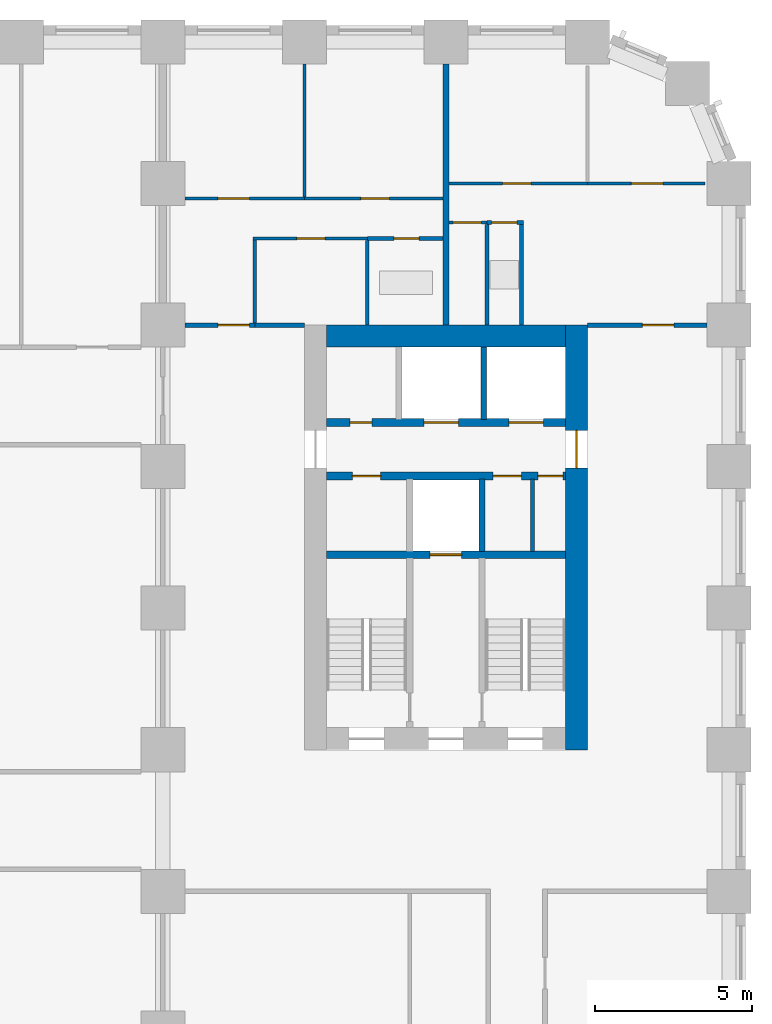
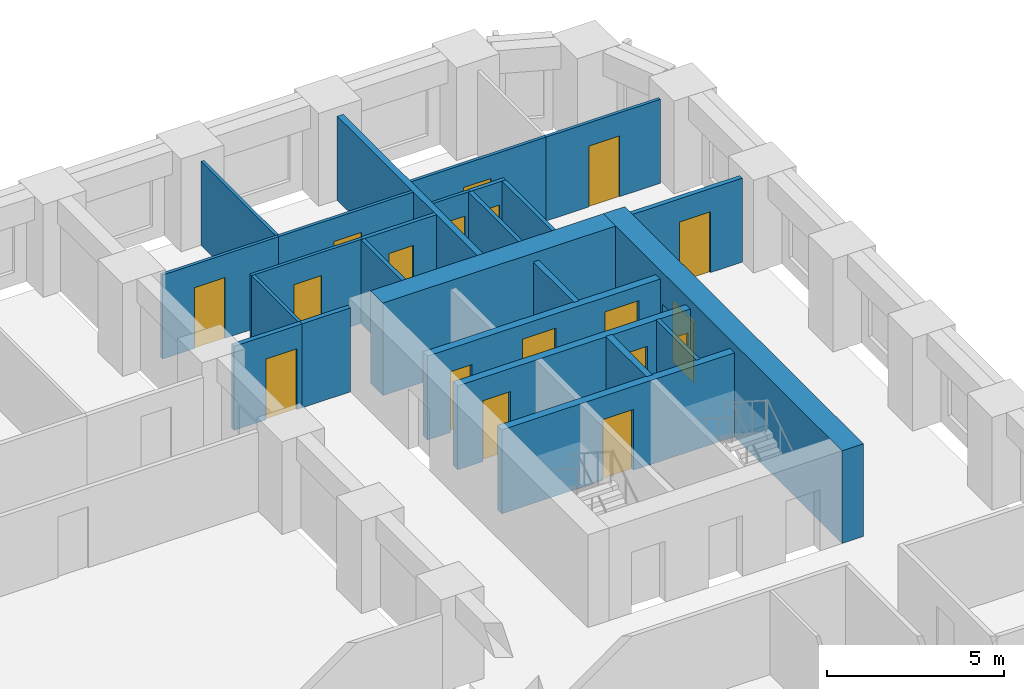
# One storey, part 8 of 12: 25 walls, 18 doors, 18 openings.
"""IFC4 building model written with IfcOpenShell, lengths in metres."""

import ifcopenshell
import ifcopenshell.guid

model = None  # the IFC model being written
_history = None  # IfcOwnerHistory: only IFC2X3 demands one
_inside = {}  # id of a spatial element -> (the spatial element, [elements in it])
_under = {}  # id of a project, library or spatial element -> (it, [spatial elements below it])
_declared = {}  # id of a project -> (the project, [libraries it declares])
_typed = {}  # id of a type object -> (the type object, [elements of that type])
_made_of = {}  # id of a material, layer set ... -> (it, [elements and type objects made of it])


def new_model(schema):
    """Start an empty IFC model of exactly this schema.

    Asked for "IFC4X3", IfcOpenShell would pick the latest addendum, in which some entities
    have other attributes; the version numbers below select the first issue.
    IFC2X3 requires an IfcOwnerHistory on every rooted entity: one is made here for all.
    """
    global model, _history
    if schema == "IFC4X3":
        model = ifcopenshell.file(schema_version=(4, 3, 0, 0))
    else:
        model = ifcopenshell.file(schema=schema)
    _inside.clear()
    _under.clear()
    _declared.clear()
    _typed.clear()
    _made_of.clear()
    _history = None
    if model.schema == "IFC2X3":
        org = make("IfcOrganization", Name="unknown")
        user = make(
            "IfcPersonAndOrganization",
            ThePerson=make("IfcPerson", FamilyName="unknown"),
            TheOrganization=org,
        )
        app = make(
            "IfcApplication",
            ApplicationDeveloper=org,
            Version="unknown",
            ApplicationFullName="unknown",
            ApplicationIdentifier="unknown",
        )
        _history = make(
            "IfcOwnerHistory",
            OwningUser=user,
            OwningApplication=app,
            ChangeAction="ADDED",
            CreationDate=0,
        )
    return model


def make(cls, **values):
    """One entity of the class cls with the attributes given. An attribute that is None is left unset."""
    return model.create_entity(
        cls, **{name: value for name, value in values.items() if value is not None}
    )


def rooted(cls, **values):
    """An entity with a GlobalId (a new one), such as an element, a storey or a relation."""
    return make(cls, GlobalId=ifcopenshell.guid.new(), OwnerHistory=_history, **values)


def si_unit(unit_type, name, prefix=None):
    """IfcSIUnit, for example si_unit("LENGTHUNIT", "METRE", prefix="MILLI")."""
    return make("IfcSIUnit", UnitType=unit_type, Prefix=prefix, Name=name)


def assignment(units):
    """IfcUnitAssignment: the units of a project."""
    return None if units is None else make("IfcUnitAssignment", Units=units)


def point(xyz):
    """IfcCartesianPoint."""
    return None if xyz is None else make("IfcCartesianPoint", Coordinates=xyz)


def direction(xyz):
    """IfcDirection."""
    return None if xyz is None else make("IfcDirection", DirectionRatios=xyz)


def frame(location, z_axis=None, x_axis=None):
    """IfcAxis2Placement3D, a coordinate frame: its origin and axes. An axis left out is left unset."""
    return make(
        "IfcAxis2Placement3D",
        Location=point(location),
        Axis=direction(z_axis),
        RefDirection=direction(x_axis),
    )


def frame_2d(location, x_axis=None):
    """IfcAxis2Placement2D, a coordinate frame in the plane: its origin and x axis."""
    return make(
        "IfcAxis2Placement2D", Location=point(location), RefDirection=direction(x_axis)
    )


def origin():
    """The frame at (0, 0, 0) with its axes left unset."""
    return frame((0.0, 0.0, 0.0))


def place(relative_to, where):
    """IfcLocalPlacement: puts the frame where relative to a parent placement (None: the world)."""
    return make(
        "IfcLocalPlacement", PlacementRelTo=relative_to, RelativePlacement=where
    )


def context(
    kind, dimensions, precision=None, world=None, true_north=None, identifier=None
):
    """IfcGeometricRepresentationContext, for example the 3D "Model" context."""
    return make(
        "IfcGeometricRepresentationContext",
        ContextIdentifier=identifier,
        ContextType=kind,
        CoordinateSpaceDimension=dimensions,
        Precision=precision,
        WorldCoordinateSystem=world,
        TrueNorth=true_north,
    )


def subcontext(parent, identifier, kind, view, scale=None):
    """IfcGeometricRepresentationSubContext, for example "Body" below "Model"."""
    return make(
        "IfcGeometricRepresentationSubContext",
        ContextIdentifier=identifier,
        ContextType=kind,
        ParentContext=parent,
        TargetScale=scale,
        TargetView=view,
    )


def project(units=None, contexts=None):
    """IfcProject with its units and contexts."""
    return rooted(
        "IfcProject",
        Name="project",
        RepresentationContexts=contexts,
        UnitsInContext=assignment(units),
    )


def spatial(cls, under=None, at=None, **own):
    """A site, building, storey or space (cls), placed at a placement, below another one or the project."""
    s = rooted(cls, ObjectPlacement=at, **own)
    if under is not None:
        _under.setdefault(under.id(), (under, []))[1].append(s)
    return s


def profile(cls, at=None, kind="AREA", **sizes):
    """A parametric profile (cls). Its sizes go by their IFC names, for example OverallWidth=200.0."""
    return make(cls, ProfileType=kind, Position=at, **sizes)


def rectangle(**sizes):
    """IfcRectangleProfileDef."""
    return profile("IfcRectangleProfileDef", **sizes)


def extrude(swept, where, along, depth):
    """IfcExtrudedAreaSolid: the profile swept, set in the frame where, extruded along a direction by depth."""
    return make(
        "IfcExtrudedAreaSolid",
        SweptArea=swept,
        Position=where,
        ExtrudedDirection=direction(along),
        Depth=depth,
    )


def shape(context_of_items, identifier, shape_type, items):
    """IfcShapeRepresentation: the items that make up one representation, for example the "Body"."""
    return make(
        "IfcShapeRepresentation",
        ContextOfItems=context_of_items,
        RepresentationIdentifier=identifier,
        RepresentationType=shape_type,
        Items=items,
    )


def material(Name=None, Category=None):
    """IfcMaterial."""
    return make("IfcMaterial", Name=Name, Category=Category)


def layer(
    of_material, thickness, ventilated=None, Name=None, Category=None, Priority=None
):
    """IfcMaterialLayer: one layer of a wall or slab, of a material (None: an air gap)."""
    return make(
        "IfcMaterialLayer",
        Material=of_material,
        LayerThickness=thickness,
        IsVentilated=ventilated,
        Name=Name,
        Category=Category,
        Priority=Priority,
    )


def layer_set(layers, Name=None):
    """IfcMaterialLayerSet."""
    return make("IfcMaterialLayerSet", MaterialLayers=layers, LayerSetName=Name)


def made_of(thing, what):
    """Note that an element or type object is made of a material, layer set ...; save() writes the relation."""
    if what is not None:
        _made_of.setdefault(what.id(), (what, []))[1].append(thing)
    return thing


def type_object(cls, material=None, **own):
    """A type object (cls), such as IfcWallType, which elements share."""
    return made_of(rooted(cls, **own), material)


def element(
    cls,
    number,
    at=None,
    inside=None,
    cuts=None,
    type_object=None,
    material=None,
    context=None,
    identifier="Body",
    shape_type=None,
    held_by="IfcProductDefinitionShape",
    body=None,
    shapes=None,
    **own,
):
    """One element of the class cls, such as IfcWall. Its Tag is "e" and its number.

    at: its placement. inside: the storey or other place that contains it. cuts: it is an
    opening in that element (IfcRelVoidsElement). A single representation is given by context,
    identifier, shape_type and body (its items); several are given by shapes. held_by: the class
    of the entity that holds the representations. save() writes the other relations.
    """
    e = rooted(cls, Tag="e%d" % number, ObjectPlacement=at, **own)
    if body is not None:
        shapes = [shape(context, identifier, shape_type, body)]
    if shapes is not None:
        e.Representation = make(held_by, Representations=shapes)
    if inside is not None:
        _inside.setdefault(inside.id(), (inside, []))[1].append(e)
    if cuts is not None:
        rooted(
            "IfcRelVoidsElement", RelatingBuildingElement=cuts, RelatedOpeningElement=e
        )
    if type_object is not None:
        _typed.setdefault(type_object.id(), (type_object, []))[1].append(e)
    return made_of(e, material)


def fill(opening, filler):
    """IfcRelFillsElement: the door or window that sits in an opening."""
    return rooted(
        "IfcRelFillsElement",
        RelatingOpeningElement=opening,
        RelatedBuildingElement=filler,
    )


def aggregate(whole, parts):
    """IfcRelAggregates: a whole, such as a stair, and the parts it consists of."""
    return rooted("IfcRelAggregates", RelatingObject=whole, RelatedObjects=parts)


def save(model, path):
    """Write the relations noted so far, then the file.

    IfcRelAggregates (storeys below a building ...), IfcRelContainedInSpatialStructure (elements
    in a storey), IfcRelDefinesByType, IfcRelAssociatesMaterial and IfcRelDeclares: one each for
    every whole, place, type object, material and project.
    """
    for whole, parts in _under.values():
        aggregate(whole, parts)
    for where, things in _inside.values():
        rooted(
            "IfcRelContainedInSpatialStructure",
            RelatedElements=things,
            RelatingStructure=where,
        )
    for kind, things in _typed.values():
        rooted("IfcRelDefinesByType", RelatedObjects=things, RelatingType=kind)
    for what, things in _made_of.values():
        rooted("IfcRelAssociatesMaterial", RelatedObjects=things, RelatingMaterial=what)
    for by, libraries in _declared.values():
        rooted("IfcRelDeclares", RelatingContext=by, RelatedDefinitions=libraries)
    model.write(path)


model = new_model("IFC4")

# Units and contexts
model_context = context("Model", 3, precision=1e-05, world=origin(), true_north=direction((0.0, 1.0)))
body_context = subcontext(model_context, "Body", "Model", "MODEL_VIEW")
ifc_project = project(units=[si_unit("LENGTHUNIT", "METRE"), si_unit("AREAUNIT", "SQUARE_METRE"), si_unit("VOLUMEUNIT", "CUBIC_METRE"), si_unit("PLANEANGLEUNIT", "RADIAN"), si_unit("MASSUNIT", "GRAM", prefix="KILO")], contexts=[model_context])

# Site, building, storey
site_placement = place(None, origin())
site = spatial("IfcSite", under=ifc_project, at=site_placement, CompositionType="ELEMENT")
building_placement = place(site_placement, origin())
building = spatial("IfcBuilding", under=site, at=building_placement, Name="Girih Gate Residences", CompositionType="ELEMENT")
storey_placement = place(building_placement, frame((0.0, 0.0, 65.60009765625)))
storey = spatial("IfcBuildingStorey", under=building, at=storey_placement, Name="L17", CompositionType="ELEMENT", Elevation=65.60009765625)

# Wall, opening, door
ifc_material_1 = material(Name="Gypsum board on steel studs", Category="steel")
ifc_layer_1 = layer(ifc_material_1, 0.14990234375)
ifc_layer_set_1 = layer_set([ifc_layer_1], Name="Compartment wall 150 mm")
wall_type_1 = type_object("IfcWallType", Name="Compartment wall 150 mm", PredefinedType="PARTITIONING", material=ifc_layer_set_1)
wall_1_placement = place(storey_placement, frame((45.0, 40.5, 0.0), z_axis=(0.0, 0.0, 1.0), x_axis=(1.0, 0.0, 0.0)))
wall_1 = element("IfcWall", 1, at=wall_1_placement, inside=storey, type_object=wall_type_1, Name="L17 partition", PredefinedType="PARTITIONING", context=body_context, shape_type="SweptSolid", body=[
    extrude(rectangle(XDim=3.800048828125, YDim=0.14990234375, at=frame_2d((1.89990234375, 0.0))), origin(), (0.0, 0.0, 1.0), 2.89990234375),
])
opening_1_placement = place(wall_1_placement, frame((1.75, 0.0, 0.0)))
opening_1 = element("IfcOpeningElement", 2, at=opening_1_placement, cuts=wall_1, Name="Opening A17-032", PredefinedType="OPENING", context=body_context, shape_type="SweptSolid", body=[
    extrude(rectangle(XDim=1.0, YDim=2.10009765625, at=frame_2d((0.5, 1.050048828125))), frame((0.0, 0.0849609375, 0.0), z_axis=(0.0, -1.0, 0.0), x_axis=(1.0, 0.0, 0.0)), (0.0, 0.0, 1.0), 0.169921875),
])
ifc_material_2 = material(Name="Timber, fire-rated core", Category="wood")
door_type_1 = type_object("IfcDoorType", Name="Flat entrance door 1000x2100 FD30S", OperationType="NOTDEFINED", PredefinedType="DOOR", material=ifc_material_2)
door_1_placement = place(opening_1_placement, origin())
door_1 = element("IfcDoor", 3, at=door_1_placement, inside=storey, type_object=door_type_1, Name="Door A17-032", OperationType="SINGLE_SWING_RIGHT", OverallHeight=2.10009765625, OverallWidth=1.0, PredefinedType="DOOR", context=body_context, shape_type="SweptSolid", body=[
    extrude(rectangle(XDim=1.0, YDim=2.10009765625, at=frame_2d((0.5, 1.050048828125))), frame((0.0, 0.02490234375, 0.0), z_axis=(0.0, -1.0, 0.0), x_axis=(1.0, 0.0, 0.0)), (0.0, 0.0, 1.0), 0.050048828125),
])
fill(opening_1, door_1)

wall_2_placement = place(storey_placement, frame((32.199951171875, 40.5, 0.0), z_axis=(0.0, 0.0, 1.0), x_axis=(1.0, 0.0, 0.0)))
wall_2 = element("IfcWall", 4, at=wall_2_placement, inside=storey, type_object=wall_type_1, Name="L17 partition", PredefinedType="PARTITIONING", context=body_context, shape_type="SweptSolid", body=[
    extrude(rectangle(XDim=2.22509765625, YDim=0.14990234375, at=frame_2d((1.112548828125, 0.0))), origin(), (0.0, 0.0, 1.0), 2.89990234375),
])
opening_2_placement = place(wall_2_placement, frame((1.050048828125, 0.0, 0.0)))
opening_2 = element("IfcOpeningElement", 5, at=opening_2_placement, cuts=wall_2, Name="Opening A17-037", PredefinedType="OPENING", context=body_context, shape_type="SweptSolid", body=[
    extrude(rectangle(XDim=1.0, YDim=2.10009765625, at=frame_2d((0.5, 1.050048828125))), frame((0.0, 0.0849609375, 0.0), z_axis=(0.0, -1.0, 0.0), x_axis=(1.0, 0.0, 0.0)), (0.0, 0.0, 1.0), 0.169921875),
])
door_2_placement = place(opening_2_placement, origin())
door_2 = element("IfcDoor", 6, at=door_2_placement, inside=storey, type_object=door_type_1, Name="Door A17-037", OperationType="SINGLE_SWING_RIGHT", OverallHeight=2.10009765625, OverallWidth=1.0, PredefinedType="DOOR", context=body_context, shape_type="SweptSolid", body=[
    extrude(rectangle(XDim=1.0, YDim=2.10009765625, at=frame_2d((0.5, 1.050048828125))), frame((0.0, 0.02490234375, 0.0), z_axis=(0.0, -1.0, 0.0), x_axis=(1.0, 0.0, 0.0)), (0.0, 0.0, 1.0), 0.050048828125),
])
fill(opening_2, door_2)

# Walls
wall_3_placement = place(storey_placement, frame((34.425048828125, 40.5, 0.0), z_axis=(0.0, 0.0, 1.0), x_axis=(1.0, 0.0, 0.0)))
element("IfcWall", 7, at=wall_3_placement, inside=storey, type_object=wall_type_1, Name="L17 partition", PredefinedType="PARTITIONING", context=body_context, shape_type="SweptSolid", body=[
    extrude(rectangle(XDim=1.574951171875, YDim=0.14990234375, at=frame_2d((0.78759765625, 0.0))), origin(), (0.0, 0.0, 1.0), 2.89990234375),
])
ifc_material_3 = material(Name="Concrete C60/75", Category="concrete")
ifc_layer_2 = layer(ifc_material_3, 0.699951171875)
ifc_layer_set_2 = layer_set([ifc_layer_2], Name="Core wall RC 700 Concrete C60/75")
wall_type_2 = type_object("IfcWallType", Name="Core wall RC 700 Concrete C60/75", PredefinedType="SOLIDWALL", material=ifc_layer_set_2)
wall_4_placement = place(storey_placement, frame((36.699951171875, 40.14990234375, 0.0), z_axis=(0.0, 0.0, 1.0), x_axis=(1.0, 0.0, 0.0)))
element("IfcWall", 8, at=wall_4_placement, inside=storey, type_object=wall_type_2, Name="Core wall E-N L17", PredefinedType="SOLIDWALL", context=body_context, shape_type="SweptSolid", body=[
    extrude(rectangle(XDim=7.60009765625, YDim=0.699951171875, at=frame_2d((3.800048828125, 0.0))), origin(), (0.0, 0.0, 1.0), 3.199951171875),
])

# Wall, opening, door
wall_5_placement = place(storey_placement, frame((44.64990234375, 27.0, 0.0), z_axis=(0.0, 0.0, 1.0), x_axis=(0.0, 1.0, 0.0)))
wall_5 = element("IfcWall", 9, at=wall_5_placement, inside=storey, type_object=wall_type_2, Name="Core wall E-E L17", PredefinedType="SOLIDWALL", context=body_context, shape_type="SweptSolid", body=[
    extrude(rectangle(XDim=13.5, YDim=0.699951171875, at=frame_2d((6.75, 0.0))), origin(), (0.0, 0.0, 1.0), 3.199951171875),
])
opening_3_placement = place(wall_5_placement, frame((8.949951171875, 0.0, 0.0)))
opening_3 = element("IfcOpeningElement", 10, at=opening_3_placement, cuts=wall_5, Name="Opening D-L17-E-014", PredefinedType="OPENING", context=body_context, shape_type="SweptSolid", body=[
    extrude(rectangle(XDim=1.199951171875, YDim=2.10009765625, at=frame_2d((0.60009765625, 1.050048828125))), frame((0.0, 0.35986328125, 0.0), z_axis=(0.0, -1.0, 0.0), x_axis=(1.0, 0.0, 0.0)), (0.0, 0.0, 1.0), 0.719970703125),
])
ifc_material_4 = material(Name="Painted steel, fire-resisting", Category="steel")
door_type_2 = type_object("IfcDoorType", Name="Fire door 1200x2100", OperationType="SINGLE_SWING_LEFT", PredefinedType="DOOR", material=ifc_material_4)
door_3_placement = place(opening_3_placement, origin())
door_3 = element("IfcDoor", 11, at=door_3_placement, inside=storey, type_object=door_type_2, Name="L17 E core door ll-e", OperationType="SINGLE_SWING_LEFT", OverallHeight=2.10009765625, OverallWidth=1.199951171875, PredefinedType="DOOR", context=body_context, shape_type="SweptSolid", body=[
    extrude(rectangle(XDim=1.199951171875, YDim=2.10009765625, at=frame_2d((0.60009765625, 1.050048828125))), frame((0.0, 0.02490234375, 0.0), z_axis=(0.0, -1.0, 0.0), x_axis=(1.0, 0.0, 0.0)), (0.0, 0.0, 1.0), 0.050048828125),
])
fill(opening_3, door_3)

ifc_material_5 = material(Name="Concrete C40/50", Category="concrete")
ifc_layer_3 = layer(ifc_material_5, 0.25)
ifc_layer_set_3 = layer_set([ifc_layer_3], Name="Lift shaft wall 250")
wall_type_3 = type_object("IfcWallType", Name="Lift shaft wall 250", PredefinedType="SOLIDWALL", material=ifc_layer_set_3)
wall_6_placement = place(storey_placement, frame((36.699951171875, 33.199951171875, 0.0), z_axis=(0.0, 0.0, 1.0), x_axis=(1.0, 0.0, 0.0)))
wall_6 = element("IfcWall", 12, at=wall_6_placement, inside=storey, type_object=wall_type_3, Name="L17 E core wall H1", PredefinedType="SOLIDWALL", context=body_context, shape_type="SweptSolid", body=[
    extrude(rectangle(XDim=7.60009765625, YDim=0.25, at=frame_2d((3.800048828125, 0.0))), origin(), (0.0, 0.0, 1.0), 2.89990234375),
])
opening_4_placement = place(wall_6_placement, frame((3.300048828125, 0.0, 0.0)))
opening_4 = element("IfcOpeningElement", 13, at=opening_4_placement, cuts=wall_6, Name="Opening D-L17-E-005", PredefinedType="OPENING", context=body_context, shape_type="SweptSolid", body=[
    extrude(rectangle(XDim=1.0, YDim=2.10009765625, at=frame_2d((0.5, 1.050048828125))), frame((0.0, 0.135009765625, 0.0), z_axis=(0.0, -1.0, 0.0), x_axis=(1.0, 0.0, 0.0)), (0.0, 0.0, 1.0), 0.27001953125),
])
ifc_material_6 = material(Name="Stainless steel, fire-resisting", Category="steel")
door_type_3 = type_object("IfcDoorType", Name="Firefighting lift landing door 1000x2100", OperationType="SLIDING_TO_LEFT", PredefinedType="DOOR", material=ifc_material_6)
door_4_placement = place(opening_4_placement, origin())
door_4 = element("IfcDoor", 14, at=door_4_placement, inside=storey, type_object=door_type_3, Name="L17 lift FF-E landing door", OperationType="SLIDING_TO_LEFT", OverallHeight=2.10009765625, OverallWidth=1.0, PredefinedType="DOOR", context=body_context, shape_type="SweptSolid", body=[
    extrude(rectangle(XDim=1.0, YDim=2.10009765625, at=frame_2d((0.5, 1.050048828125))), frame((0.0, 0.02490234375, 0.0), z_axis=(0.0, -1.0, 0.0), x_axis=(1.0, 0.0, 0.0)), (0.0, 0.0, 1.0), 0.050048828125),
])
fill(opening_4, door_4)

# Wall, openings, doors
wall_7_placement = place(storey_placement, frame((36.699951171875, 35.699951171875, 0.0), z_axis=(0.0, 0.0, 1.0), x_axis=(1.0, 0.0, 0.0)))
wall_7 = element("IfcWall", 15, at=wall_7_placement, inside=storey, type_object=wall_type_3, Name="L17 E core wall H2", PredefinedType="SOLIDWALL", context=body_context, shape_type="SweptSolid", body=[
    extrude(rectangle(XDim=7.60009765625, YDim=0.25, at=frame_2d((3.800048828125, 0.0))), origin(), (0.0, 0.0, 1.0), 2.89990234375),
])
opening_5_placement = place(wall_7_placement, frame((6.72509765625, 0.0, 0.0)))
opening_5 = element("IfcOpeningElement", 16, at=opening_5_placement, cuts=wall_7, Name="Opening D-L17-E-007", PredefinedType="OPENING", context=body_context, shape_type="SweptSolid", body=[
    extrude(rectangle(XDim=0.800048828125, YDim=2.10009765625, at=frame_2d((0.39990234375, 1.050048828125))), frame((0.0, 0.135009765625, 0.0), z_axis=(0.0, -1.0, 0.0), x_axis=(1.0, 0.0, 0.0)), (0.0, 0.0, 1.0), 0.27001953125),
])
opening_6_placement = place(wall_7_placement, frame((5.300048828125, 0.0, 0.0)))
opening_6 = element("IfcOpeningElement", 17, at=opening_6_placement, cuts=wall_7, Name="Opening D-L17-E-008", PredefinedType="OPENING", context=body_context, shape_type="SweptSolid", body=[
    extrude(rectangle(XDim=0.89990234375, YDim=2.10009765625, at=frame_2d((0.449951171875, 1.050048828125))), frame((0.0, 0.135009765625, 0.0), z_axis=(0.0, -1.0, 0.0), x_axis=(1.0, 0.0, 0.0)), (0.0, 0.0, 1.0), 0.27001953125),
])
opening_7_placement = place(wall_7_placement, frame((0.824951171875, 0.0, 0.0)))
opening_7 = element("IfcOpeningElement", 18, at=opening_7_placement, cuts=wall_7, Name="Opening D-L17-E-009", PredefinedType="OPENING", context=body_context, shape_type="SweptSolid", body=[
    extrude(rectangle(XDim=0.89990234375, YDim=2.10009765625, at=frame_2d((0.449951171875, 1.050048828125))), frame((0.0, 0.135009765625, 0.0), z_axis=(0.0, -1.0, 0.0), x_axis=(1.0, 0.0, 0.0)), (0.0, 0.0, 1.0), 0.27001953125),
])
door_type_4 = type_object("IfcDoorType", Name="Fire door 800x2100", OperationType="SINGLE_SWING_LEFT", PredefinedType="DOOR", material=ifc_material_4)
door_5_placement = place(opening_5_placement, origin())
door_5 = element("IfcDoor", 19, at=door_5_placement, inside=storey, type_object=door_type_4, Name="L17 E housekeeping store door", OperationType="SINGLE_SWING_LEFT", OverallHeight=2.10009765625, OverallWidth=0.800048828125, PredefinedType="DOOR", context=body_context, shape_type="SweptSolid", body=[
    extrude(rectangle(XDim=0.800048828125, YDim=2.10009765625, at=frame_2d((0.39990234375, 1.050048828125))), frame((0.0, 0.02490234375, 0.0), z_axis=(0.0, -1.0, 0.0), x_axis=(1.0, 0.0, 0.0)), (0.0, 0.0, 1.0), 0.050048828125),
])
fill(opening_5, door_5)
door_type_5 = type_object("IfcDoorType", Name="Fire door 900x2100", OperationType="SINGLE_SWING_LEFT", PredefinedType="DOOR", material=ifc_material_4)
door_6_placement = place(opening_6_placement, origin())
door_6 = element("IfcDoor", 20, at=door_6_placement, inside=storey, type_object=door_type_5, Name="L17 E refuse store door", OperationType="SINGLE_SWING_LEFT", OverallHeight=2.10009765625, OverallWidth=0.89990234375, PredefinedType="DOOR", context=body_context, shape_type="SweptSolid", body=[
    extrude(rectangle(XDim=0.89990234375, YDim=2.10009765625, at=frame_2d((0.449951171875, 1.050048828125))), frame((0.0, 0.02490234375, 0.0), z_axis=(0.0, -1.0, 0.0), x_axis=(1.0, 0.0, 0.0)), (0.0, 0.0, 1.0), 0.050048828125),
])
fill(opening_6, door_6)
door_7_placement = place(opening_7_placement, origin())
door_7 = element("IfcDoor", 21, at=door_7_placement, inside=storey, type_object=door_type_5, Name="L17 E it room door", OperationType="SINGLE_SWING_LEFT", OverallHeight=2.10009765625, OverallWidth=0.89990234375, PredefinedType="DOOR", context=body_context, shape_type="SweptSolid", body=[
    extrude(rectangle(XDim=0.89990234375, YDim=2.10009765625, at=frame_2d((0.449951171875, 1.050048828125))), frame((0.0, 0.02490234375, 0.0), z_axis=(0.0, -1.0, 0.0), x_axis=(1.0, 0.0, 0.0)), (0.0, 0.0, 1.0), 0.050048828125),
])
fill(opening_7, door_7)

wall_8_placement = place(storey_placement, frame((36.699951171875, 37.39990234375, 0.0), z_axis=(0.0, 0.0, 1.0), x_axis=(1.0, 0.0, 0.0)))
wall_8 = element("IfcWall", 22, at=wall_8_placement, inside=storey, type_object=wall_type_3, Name="L17 E core wall H3", PredefinedType="SOLIDWALL", context=body_context, shape_type="SweptSolid", body=[
    extrude(rectangle(XDim=7.60009765625, YDim=0.25, at=frame_2d((3.800048828125, 0.0))), origin(), (0.0, 0.0, 1.0), 2.89990234375),
])
opening_8_placement = place(wall_8_placement, frame((5.800048828125, 0.0, 0.0)))
opening_8 = element("IfcOpeningElement", 23, at=opening_8_placement, cuts=wall_8, Name="Opening D-L17-E-003", PredefinedType="OPENING", context=body_context, shape_type="SweptSolid", body=[
    extrude(rectangle(XDim=1.10009765625, YDim=2.39990234375, at=frame_2d((0.550048828125, 1.199951171875))), frame((0.0, 0.135009765625, 0.0), z_axis=(0.0, -1.0, 0.0), x_axis=(1.0, 0.0, 0.0)), (0.0, 0.0, 1.0), 0.27001953125),
])
opening_9_placement = place(wall_8_placement, frame((3.10009765625, 0.0, 0.0)))
opening_9 = element("IfcOpeningElement", 24, at=opening_9_placement, cuts=wall_8, Name="Opening D-L17-E-004", PredefinedType="OPENING", context=body_context, shape_type="SweptSolid", body=[
    extrude(rectangle(XDim=1.10009765625, YDim=2.39990234375, at=frame_2d((0.550048828125, 1.199951171875))), frame((0.0, 0.135009765625, 0.0), z_axis=(0.0, -1.0, 0.0), x_axis=(1.0, 0.0, 0.0)), (0.0, 0.0, 1.0), 0.27001953125),
])
opening_10_placement = place(wall_8_placement, frame((0.75, 0.0, 0.0)))
opening_10 = element("IfcOpeningElement", 25, at=opening_10_placement, cuts=wall_8, Name="Opening D-L17-E-006", PredefinedType="OPENING", context=body_context, shape_type="SweptSolid", body=[
    extrude(rectangle(XDim=0.699951171875, YDim=2.10009765625, at=frame_2d((0.35009765625, 1.050048828125))), frame((0.0, 0.135009765625, 0.0), z_axis=(0.0, -1.0, 0.0), x_axis=(1.0, 0.0, 0.0)), (0.0, 0.0, 1.0), 0.27001953125),
])
ifc_material_7 = material(Name="Stainless steel", Category="steel")
door_type_6 = type_object("IfcDoorType", Name="Lift landing door 1100x2400", OperationType="SLIDING_TO_LEFT", PredefinedType="DOOR", material=ifc_material_7)
door_8_placement = place(opening_8_placement, origin())
door_8 = element("IfcDoor", 26, at=door_8_placement, inside=storey, type_object=door_type_6, Name="L17 lift LR-E1 landing door", OperationType="SLIDING_TO_LEFT", OverallHeight=2.39990234375, OverallWidth=1.10009765625, PredefinedType="DOOR", context=body_context, shape_type="SweptSolid", body=[
    extrude(rectangle(XDim=1.10009765625, YDim=2.39990234375, at=frame_2d((0.550048828125, 1.199951171875))), frame((0.0, 0.02490234375, 0.0), z_axis=(0.0, -1.0, 0.0), x_axis=(1.0, 0.0, 0.0)), (0.0, 0.0, 1.0), 0.050048828125),
])
fill(opening_8, door_8)
door_9_placement = place(opening_9_placement, origin())
door_9 = element("IfcDoor", 27, at=door_9_placement, inside=storey, type_object=door_type_6, Name="L17 lift LR-E2 landing door", OperationType="SLIDING_TO_LEFT", OverallHeight=2.39990234375, OverallWidth=1.10009765625, PredefinedType="DOOR", context=body_context, shape_type="SweptSolid", body=[
    extrude(rectangle(XDim=1.10009765625, YDim=2.39990234375, at=frame_2d((0.550048828125, 1.199951171875))), frame((0.0, 0.02490234375, 0.0), z_axis=(0.0, -1.0, 0.0), x_axis=(1.0, 0.0, 0.0)), (0.0, 0.0, 1.0), 0.050048828125),
])
fill(opening_9, door_9)
door_type_7 = type_object("IfcDoorType", Name="Riser access door 700x2100", OperationType="SINGLE_SWING_LEFT", PredefinedType="DOOR", material=ifc_material_4)
door_10_placement = place(opening_10_placement, origin())
door_10 = element("IfcDoor", 28, at=door_10_placement, inside=storey, type_object=door_type_7, Name="L17 E riser room door", OperationType="SINGLE_SWING_LEFT", OverallHeight=2.10009765625, OverallWidth=0.699951171875, PredefinedType="DOOR", context=body_context, shape_type="SweptSolid", body=[
    extrude(rectangle(XDim=0.699951171875, YDim=2.10009765625, at=frame_2d((0.35009765625, 1.050048828125))), frame((0.0, 0.02490234375, 0.0), z_axis=(0.0, -1.0, 0.0), x_axis=(1.0, 0.0, 0.0)), (0.0, 0.0, 1.0), 0.050048828125),
])
fill(opening_10, door_10)

# Wall, opening, door
ifc_layer_4 = layer(ifc_material_1, 0.10009765625)
ifc_layer_set_4 = layer_set([ifc_layer_4], Name="Partition 100 mm")
wall_type_4 = type_object("IfcWallType", Name="Partition 100 mm", PredefinedType="PARTITIONING", material=ifc_layer_set_4)
wall_9_placement = place(storey_placement, frame((40.60009765625, 45.0, 0.0), z_axis=(0.0, 0.0, 1.0), x_axis=(1.0, 0.0, 0.0)))
wall_9 = element("IfcWall", 29, at=wall_9_placement, inside=storey, type_object=wall_type_4, Name="L17 partition", PredefinedType="PARTITIONING", context=body_context, shape_type="SweptSolid", body=[
    extrude(rectangle(XDim=4.39990234375, YDim=0.10009765625, at=frame_2d((2.199951171875, 0.0))), origin(), (0.0, 0.0, 1.0), 2.89990234375),
])
opening_11_placement = place(wall_9_placement, frame((1.699951171875, 0.0, 0.0)))
opening_11 = element("IfcOpeningElement", 30, at=opening_11_placement, cuts=wall_9, Name="Opening A17-029", PredefinedType="OPENING", context=body_context, shape_type="SweptSolid", body=[
    extrude(rectangle(XDim=0.89990234375, YDim=2.10009765625, at=frame_2d((0.449951171875, 1.050048828125))), frame((0.0, 0.06005859375, 0.0), z_axis=(0.0, -1.0, 0.0), x_axis=(1.0, 0.0, 0.0)), (0.0, 0.0, 1.0), 0.1201171875),
])
ifc_material_8 = material(Name="Timber", Category="wood")
door_type_8 = type_object("IfcDoorType", Name="Bedroom door 900x2100", OperationType="NOTDEFINED", PredefinedType="DOOR", material=ifc_material_8)
door_11_placement = place(opening_11_placement, origin())
door_11 = element("IfcDoor", 31, at=door_11_placement, inside=storey, type_object=door_type_8, Name="Door A17-029", OperationType="SINGLE_SWING_LEFT", OverallHeight=2.10009765625, OverallWidth=0.89990234375, PredefinedType="DOOR", context=body_context, shape_type="SweptSolid", body=[
    extrude(rectangle(XDim=0.89990234375, YDim=2.10009765625, at=frame_2d((0.449951171875, 1.050048828125))), frame((0.0, 0.02490234375, 0.0), z_axis=(0.0, -1.0, 0.0), x_axis=(1.0, 0.0, 0.0)), (0.0, 0.0, 1.0), 0.050048828125),
])
fill(opening_11, door_11)

wall_10_placement = place(storey_placement, frame((41.80908203125, 43.760009765625, 0.0), z_axis=(0.0, 0.0, 1.0), x_axis=(-1.0, 0.0, 0.0)))
wall_10 = element("IfcWall", 32, at=wall_10_placement, inside=storey, type_object=wall_type_4, Name="L17 partition", PredefinedType="PARTITIONING", context=body_context, shape_type="SweptSolid", body=[
    extrude(rectangle(XDim=1.208984375, YDim=0.10009765625, at=frame_2d((0.6044921875, 0.0))), origin(), (0.0, 0.0, 1.0), 2.89990234375),
])
opening_12_placement = place(wall_10_placement, frame((0.17919921875, 0.0, 0.0)))
opening_12 = element("IfcOpeningElement", 33, at=opening_12_placement, cuts=wall_10, Name="Opening A17-030", PredefinedType="OPENING", context=body_context, shape_type="SweptSolid", body=[
    extrude(rectangle(XDim=0.89990234375, YDim=2.10009765625, at=frame_2d((0.449951171875, 1.050048828125))), frame((0.0, 0.06005859375, 0.0), z_axis=(0.0, -1.0, 0.0), x_axis=(1.0, 0.0, 0.0)), (0.0, 0.0, 1.0), 0.1201171875),
])
door_type_9 = type_object("IfcDoorType", Name="Kitchen door 900x2100", OperationType="NOTDEFINED", PredefinedType="DOOR", material=ifc_material_8)
door_12_placement = place(opening_12_placement, origin())
door_12 = element("IfcDoor", 34, at=door_12_placement, inside=storey, type_object=door_type_9, Name="Door A17-030", OperationType="SINGLE_SWING_RIGHT", OverallHeight=2.10009765625, OverallWidth=0.89990234375, PredefinedType="DOOR", context=body_context, shape_type="SweptSolid", body=[
    extrude(rectangle(XDim=0.89990234375, YDim=2.10009765625, at=frame_2d((0.449951171875, 1.050048828125))), frame((0.0, 0.02490234375, 0.0), z_axis=(0.0, -1.0, 0.0), x_axis=(1.0, 0.0, 0.0)), (0.0, 0.0, 1.0), 0.050048828125),
])
fill(opening_12, door_12)

wall_11_placement = place(storey_placement, frame((45.0, 45.0, 0.0), z_axis=(0.0, 0.0, 1.0), x_axis=(1.0, 0.0, 0.0)))
wall_11 = element("IfcWall", 35, at=wall_11_placement, inside=storey, type_object=wall_type_4, Name="L17 partition", PredefinedType="PARTITIONING", context=body_context, shape_type="SweptSolid", body=[
    extrude(rectangle(XDim=3.742431640625, YDim=0.10009765625, at=frame_2d((1.87109375, 0.0))), origin(), (0.0, 0.0, 1.0), 2.89990234375),
])
opening_13_placement = place(wall_11_placement, frame((1.39990234375, 0.0, 0.0)))
opening_13 = element("IfcOpeningElement", 36, at=opening_13_placement, cuts=wall_11, Name="Opening A17-031", PredefinedType="OPENING", context=body_context, shape_type="SweptSolid", body=[
    extrude(rectangle(XDim=1.0, YDim=2.10009765625, at=frame_2d((0.5, 1.050048828125))), frame((0.0, 0.06005859375, 0.0), z_axis=(0.0, -1.0, 0.0), x_axis=(1.0, 0.0, 0.0)), (0.0, 0.0, 1.0), 0.1201171875),
])
door_type_10 = type_object("IfcDoorType", Name="Living room door 1000x2100", OperationType="NOTDEFINED", PredefinedType="DOOR", material=ifc_material_8)
door_13_placement = place(opening_13_placement, origin())
door_13 = element("IfcDoor", 37, at=door_13_placement, inside=storey, type_object=door_type_10, Name="Door A17-031", OperationType="SINGLE_SWING_RIGHT", OverallHeight=2.10009765625, OverallWidth=1.0, PredefinedType="DOOR", context=body_context, shape_type="SweptSolid", body=[
    extrude(rectangle(XDim=1.0, YDim=2.10009765625, at=frame_2d((0.5, 1.050048828125))), frame((0.0, 0.02490234375, 0.0), z_axis=(0.0, -1.0, 0.0), x_axis=(1.0, 0.0, 0.0)), (0.0, 0.0, 1.0), 0.050048828125),
])
fill(opening_13, door_13)

wall_12_placement = place(storey_placement, frame((36.0, 44.530029296875, 0.0), z_axis=(0.0, 0.0, 1.0), x_axis=(1.0, 0.0, 0.0)))
wall_12 = element("IfcWall", 38, at=wall_12_placement, inside=storey, type_object=wall_type_4, Name="L17 partition", PredefinedType="PARTITIONING", context=body_context, shape_type="SweptSolid", body=[
    extrude(rectangle(XDim=4.39990234375, YDim=0.10009765625, at=frame_2d((2.199951171875, 0.0))), origin(), (0.0, 0.0, 1.0), 2.89990234375),
])
opening_14_placement = place(wall_12_placement, frame((1.800048828125, 0.0, 0.0)))
opening_14 = element("IfcOpeningElement", 39, at=opening_14_placement, cuts=wall_12, Name="Opening A17-034", PredefinedType="OPENING", context=body_context, shape_type="SweptSolid", body=[
    extrude(rectangle(XDim=0.89990234375, YDim=2.10009765625, at=frame_2d((0.449951171875, 1.050048828125))), frame((0.0, 0.06005859375, 0.0), z_axis=(0.0, -1.0, 0.0), x_axis=(1.0, 0.0, 0.0)), (0.0, 0.0, 1.0), 0.1201171875),
])
door_14_placement = place(opening_14_placement, origin())
door_14 = element("IfcDoor", 40, at=door_14_placement, inside=storey, type_object=door_type_8, Name="Door A17-034", OperationType="SINGLE_SWING_RIGHT", OverallHeight=2.10009765625, OverallWidth=0.89990234375, PredefinedType="DOOR", context=body_context, shape_type="SweptSolid", body=[
    extrude(rectangle(XDim=0.89990234375, YDim=2.10009765625, at=frame_2d((0.449951171875, 1.050048828125))), frame((0.0, 0.02490234375, 0.0), z_axis=(0.0, -1.0, 0.0), x_axis=(1.0, 0.0, 0.0)), (0.0, 0.0, 1.0), 0.050048828125),
])
fill(opening_14, door_14)

# Wall
wall_13_placement = place(storey_placement, frame((36.0, 44.580078125, 0.0), z_axis=(0.0, 0.0, 1.0), x_axis=(0.0, 1.0, 0.0)))
element("IfcWall", 41, at=wall_13_placement, inside=storey, type_object=wall_type_4, Name="L17 partition", PredefinedType="PARTITIONING", context=body_context, shape_type="SweptSolid", body=[
    extrude(rectangle(XDim=4.219970703125, YDim=0.10009765625, at=frame_2d((2.10986328125, 0.0))), origin(), (0.0, 0.0, 1.0), 2.89990234375),
])

# Wall, opening, door
wall_14_placement = place(storey_placement, frame((37.99951171875, 43.25, 0.0), z_axis=(0.0, 0.0, 1.0), x_axis=(-1.0, 0.0, 0.0)))
wall_14 = element("IfcWall", 42, at=wall_14_placement, inside=storey, type_object=wall_type_4, Name="L17 partition", PredefinedType="PARTITIONING", context=body_context, shape_type="SweptSolid", body=[
    extrude(rectangle(XDim=3.62451171875, YDim=0.10009765625, at=frame_2d((1.812255859375, 0.0))), origin(), (0.0, 0.0, 1.0), 2.89990234375),
])
opening_15_placement = place(wall_14_placement, frame((1.33740234375, 0.0, 0.0)))
opening_15 = element("IfcOpeningElement", 43, at=opening_15_placement, cuts=wall_14, Name="Opening A17-035", PredefinedType="OPENING", context=body_context, shape_type="SweptSolid", body=[
    extrude(rectangle(XDim=0.89990234375, YDim=2.10009765625, at=frame_2d((0.449951171875, 1.050048828125))), frame((0.0, 0.06005859375, 0.0), z_axis=(0.0, -1.0, 0.0), x_axis=(1.0, 0.0, 0.0)), (0.0, 0.0, 1.0), 0.1201171875),
])
door_15_placement = place(opening_15_placement, origin())
door_15 = element("IfcDoor", 44, at=door_15_placement, inside=storey, type_object=door_type_9, Name="Door A17-035", OperationType="SINGLE_SWING_LEFT", OverallHeight=2.10009765625, OverallWidth=0.89990234375, PredefinedType="DOOR", context=body_context, shape_type="SweptSolid", body=[
    extrude(rectangle(XDim=0.89990234375, YDim=2.10009765625, at=frame_2d((0.449951171875, 1.050048828125))), frame((0.0, 0.02490234375, 0.0), z_axis=(0.0, -1.0, 0.0), x_axis=(1.0, 0.0, 0.0)), (0.0, 0.0, 1.0), 0.050048828125),
])
fill(opening_15, door_15)

# Wall
wall_15_placement = place(storey_placement, frame((34.425048828125, 40.574951171875, 0.0), z_axis=(0.0, 0.0, 1.0), x_axis=(0.0, 1.0, 0.0)))
element("IfcWall", 45, at=wall_15_placement, inside=storey, type_object=wall_type_4, Name="L17 partition", PredefinedType="PARTITIONING", context=body_context, shape_type="SweptSolid", body=[
    extrude(rectangle(XDim=2.625, YDim=0.10009765625, at=frame_2d((1.3125, 0.0))), origin(), (0.0, 0.0, 1.0), 2.89990234375),
])

# Wall, opening, door
wall_16_placement = place(storey_placement, frame((32.199951171875, 44.530029296875, 0.0), z_axis=(0.0, 0.0, 1.0), x_axis=(1.0, 0.0, 0.0)))
wall_16 = element("IfcWall", 46, at=wall_16_placement, inside=storey, type_object=wall_type_4, Name="L17 partition", PredefinedType="PARTITIONING", context=body_context, shape_type="SweptSolid", body=[
    extrude(rectangle(XDim=3.800048828125, YDim=0.10009765625, at=frame_2d((1.89990234375, 0.0))), origin(), (0.0, 0.0, 1.0), 2.89990234375),
])
opening_16_placement = place(wall_16_placement, frame((1.050048828125, 0.0, 0.0)))
opening_16 = element("IfcOpeningElement", 47, at=opening_16_placement, cuts=wall_16, Name="Opening A17-036", PredefinedType="OPENING", context=body_context, shape_type="SweptSolid", body=[
    extrude(rectangle(XDim=1.0, YDim=2.10009765625, at=frame_2d((0.5, 1.050048828125))), frame((0.0, 0.06005859375, 0.0), z_axis=(0.0, -1.0, 0.0), x_axis=(1.0, 0.0, 0.0)), (0.0, 0.0, 1.0), 0.1201171875),
])
door_16_placement = place(opening_16_placement, origin())
door_16 = element("IfcDoor", 48, at=door_16_placement, inside=storey, type_object=door_type_10, Name="Door A17-036", OperationType="SINGLE_SWING_LEFT", OverallHeight=2.10009765625, OverallWidth=1.0, PredefinedType="DOOR", context=body_context, shape_type="SweptSolid", body=[
    extrude(rectangle(XDim=1.0, YDim=2.10009765625, at=frame_2d((0.5, 1.050048828125))), frame((0.0, 0.02490234375, 0.0), z_axis=(0.0, -1.0, 0.0), x_axis=(1.0, 0.0, 0.0)), (0.0, 0.0, 1.0), 0.050048828125),
])
fill(opening_16, door_16)

# Walls
ifc_layer_5 = layer(ifc_material_1, 0.199951171875)
ifc_layer_set_5 = layer_set([ifc_layer_5], Name="Party wall 200 mm")
wall_type_5 = type_object("IfcWallType", Name="Party wall 200 mm", PredefinedType="PARTITIONING", material=ifc_layer_set_5)
wall_17_placement = place(storey_placement, frame((40.5, 40.5, 0.0), z_axis=(0.0, 0.0, 1.0), x_axis=(0.0, 1.0, 0.0)))
element("IfcWall", 49, at=wall_17_placement, inside=storey, type_object=wall_type_5, Name="L17 partition", PredefinedType="PARTITIONING", context=body_context, shape_type="SweptSolid", body=[
    extrude(rectangle(XDim=8.300048828125, YDim=0.199951171875, at=frame_2d((4.14990234375, 0.0))), origin(), (0.0, 0.0, 1.0), 2.89990234375),
])
ifc_layer_6 = layer(ifc_material_5, 0.175048828125)
ifc_layer_set_6 = layer_set([ifc_layer_6], Name="Riser shaft wall 175")
wall_type_6 = type_object("IfcWallType", Name="Riser shaft wall 175", PredefinedType="SOLIDWALL", material=ifc_layer_set_6)
wall_18_placement = place(storey_placement, frame((41.699951171875, 37.5, 0.0), z_axis=(0.0, 0.0, 1.0), x_axis=(0.0, 1.0, 0.0)))
element("IfcWall", 50, at=wall_18_placement, inside=storey, type_object=wall_type_6, Name="L17 E core wall V1c", PredefinedType="SOLIDWALL", context=body_context, shape_type="SweptSolid", body=[
    extrude(rectangle(XDim=2.300048828125, YDim=0.175048828125, at=frame_2d((1.14990234375, 0.0))), origin(), (0.0, 0.0, 1.0), 2.89990234375),
])
ifc_layer_7 = layer(ifc_material_5, 0.199951171875)
ifc_layer_set_7 = layer_set([ifc_layer_7], Name="Shaft wall 200")
wall_type_7 = type_object("IfcWallType", Name="Shaft wall 200", PredefinedType="SOLIDWALL", material=ifc_layer_set_7)
wall_19_placement = place(storey_placement, frame((41.64990234375, 33.300048828125, 0.0), z_axis=(0.0, 0.0, 1.0), x_axis=(0.0, 1.0, 0.0)))
element("IfcWall", 51, at=wall_19_placement, inside=storey, type_object=wall_type_7, Name="L17 E core wall V1b", PredefinedType="SOLIDWALL", context=body_context, shape_type="SweptSolid", body=[
    extrude(rectangle(XDim=2.300048828125, YDim=0.199951171875, at=frame_2d((1.14990234375, 0.0))), origin(), (0.0, 0.0, 1.0), 2.89990234375),
])
ifc_material_9 = material(Name="Calcium silicate blockwork", Category="masonry")
ifc_layer_8 = layer(ifc_material_9, 0.125)
ifc_layer_set_8 = layer_set([ifc_layer_8], Name="Store partition 125")
wall_type_8 = type_object("IfcWallType", Name="Store partition 125", PredefinedType="PARTITIONING", material=ifc_layer_set_8)
wall_20_placement = place(storey_placement, frame((43.25, 33.300048828125, 0.0), z_axis=(0.0, 0.0, 1.0), x_axis=(0.0, 1.0, 0.0)))
element("IfcWall", 52, at=wall_20_placement, inside=storey, type_object=wall_type_8, Name="L17 E core wall SHR1", PredefinedType="PARTITIONING", context=body_context, shape_type="SweptSolid", body=[
    extrude(rectangle(XDim=2.300048828125, YDim=0.125, at=frame_2d((1.14990234375, 0.0))), origin(), (0.0, 0.0, 1.0), 2.89990234375),
])

# Wall, opening, door
ifc_layer_9 = layer(ifc_material_1, 0.125)
ifc_layer_set_9 = layer_set([ifc_layer_9], Name="Wet room wall 125 mm")
wall_type_9 = type_object("IfcWallType", Name="Wet room wall 125 mm", PredefinedType="PARTITIONING", material=ifc_layer_set_9)
wall_21_placement = place(storey_placement, frame((42.96240234375, 43.760009765625, 0.0), z_axis=(0.0, 0.0, 1.0), x_axis=(-1.0, 0.0, 0.0)))
wall_21 = element("IfcWall", 53, at=wall_21_placement, inside=storey, type_object=wall_type_9, Name="L17 partition", PredefinedType="PARTITIONING", context=body_context, shape_type="SweptSolid", body=[
    extrude(rectangle(XDim=1.1533203125, YDim=0.125, at=frame_2d((0.57666015625, 0.0))), origin(), (0.0, 0.0, 1.0), 2.89990234375),
])
opening_17_placement = place(wall_21_placement, frame((0.2080078125, 0.0, 0.0)))
opening_17 = element("IfcOpeningElement", 54, at=opening_17_placement, cuts=wall_21, Name="Opening A17-028", PredefinedType="OPENING", context=body_context, shape_type="SweptSolid", body=[
    extrude(rectangle(XDim=0.800048828125, YDim=2.10009765625, at=frame_2d((0.39990234375, 1.050048828125))), frame((0.0, 0.072509765625, 0.0), z_axis=(0.0, -1.0, 0.0), x_axis=(1.0, 0.0, 0.0)), (0.0, 0.0, 1.0), 0.14501953125),
])
door_type_11 = type_object("IfcDoorType", Name="Bathroom door 800x2100", OperationType="NOTDEFINED", PredefinedType="DOOR", material=ifc_material_8)
door_17_placement = place(opening_17_placement, origin())
door_17 = element("IfcDoor", 55, at=door_17_placement, inside=storey, type_object=door_type_11, Name="Door A17-028", OperationType="SINGLE_SWING_RIGHT", OverallHeight=2.10009765625, OverallWidth=0.800048828125, PredefinedType="DOOR", context=body_context, shape_type="SweptSolid", body=[
    extrude(rectangle(XDim=0.800048828125, YDim=2.10009765625, at=frame_2d((0.39990234375, 1.050048828125))), frame((0.0, 0.02490234375, 0.0), z_axis=(0.0, -1.0, 0.0), x_axis=(1.0, 0.0, 0.0)), (0.0, 0.0, 1.0), 0.050048828125),
])
fill(opening_17, door_17)

# Walls
for number, where, z_axis, x_axis, name in (
    (56, (42.89990234375, 40.5, 0.0), (0.0, 0.0, 1.0), (0.0, 1.0, 0.0), "L17 partition"),
    (57, (41.80908203125, 40.5, 0.0), (0.0, 0.0, 1.0), (0.0, 1.0, 0.0), "L17 partition"),
):
    element("IfcWall", number, at=place(storey_placement, frame(where, z_axis=z_axis, x_axis=x_axis)), inside=storey, type_object=wall_type_9, Name=name, PredefinedType="PARTITIONING", context=body_context, shape_type="SweptSolid", body=[
        extrude(rectangle(XDim=3.197509765625, YDim=0.125, at=frame_2d((1.5986328125, 0.0))), origin(), (0.0, 0.0, 1.0), 2.89990234375),
    ])

# Wall, opening, door
wall_22_placement = place(storey_placement, frame((40.39990234375, 43.25, 0.0), z_axis=(0.0, 0.0, 1.0), x_axis=(-1.0, 0.0, 0.0)))
wall_22 = element("IfcWall", 58, at=wall_22_placement, inside=storey, type_object=wall_type_9, Name="L17 partition", PredefinedType="PARTITIONING", context=body_context, shape_type="SweptSolid", body=[
    extrude(rectangle(XDim=2.400390625, YDim=0.125, at=frame_2d((1.2001953125, 0.0))), origin(), (0.0, 0.0, 1.0), 2.89990234375),
])
opening_18_placement = place(wall_22_placement, frame((0.750244140625, 0.0, 0.0)))
opening_18 = element("IfcOpeningElement", 59, at=opening_18_placement, cuts=wall_22, Name="Opening A17-033", PredefinedType="OPENING", context=body_context, shape_type="SweptSolid", body=[
    extrude(rectangle(XDim=0.800048828125, YDim=2.10009765625, at=frame_2d((0.39990234375, 1.050048828125))), frame((0.0, 0.072509765625, 0.0), z_axis=(0.0, -1.0, 0.0), x_axis=(1.0, 0.0, 0.0)), (0.0, 0.0, 1.0), 0.14501953125),
])
door_18_placement = place(opening_18_placement, origin())
door_18 = element("IfcDoor", 60, at=door_18_placement, inside=storey, type_object=door_type_11, Name="Door A17-033", OperationType="SINGLE_SWING_LEFT", OverallHeight=2.10009765625, OverallWidth=0.800048828125, PredefinedType="DOOR", context=body_context, shape_type="SweptSolid", body=[
    extrude(rectangle(XDim=0.800048828125, YDim=2.10009765625, at=frame_2d((0.39990234375, 1.050048828125))), frame((0.0, 0.02490234375, 0.0), z_axis=(0.0, -1.0, 0.0), x_axis=(1.0, 0.0, 0.0)), (0.0, 0.0, 1.0), 0.050048828125),
])
fill(opening_18, door_18)

# Wall
wall_23_placement = place(storey_placement, frame((38.0, 40.5, 0.0), z_axis=(0.0, 0.0, 1.0), x_axis=(0.0, 1.0, 0.0)))
element("IfcWall", 61, at=wall_23_placement, inside=storey, type_object=wall_type_9, Name="L17 partition", PredefinedType="PARTITIONING", context=body_context, shape_type="SweptSolid", body=[
    extrude(rectangle(XDim=2.6875, YDim=0.125, at=frame_2d((1.34375, 0.0))), origin(), (0.0, 0.0, 1.0), 2.89990234375),
])

save(model, "model.ifc")
